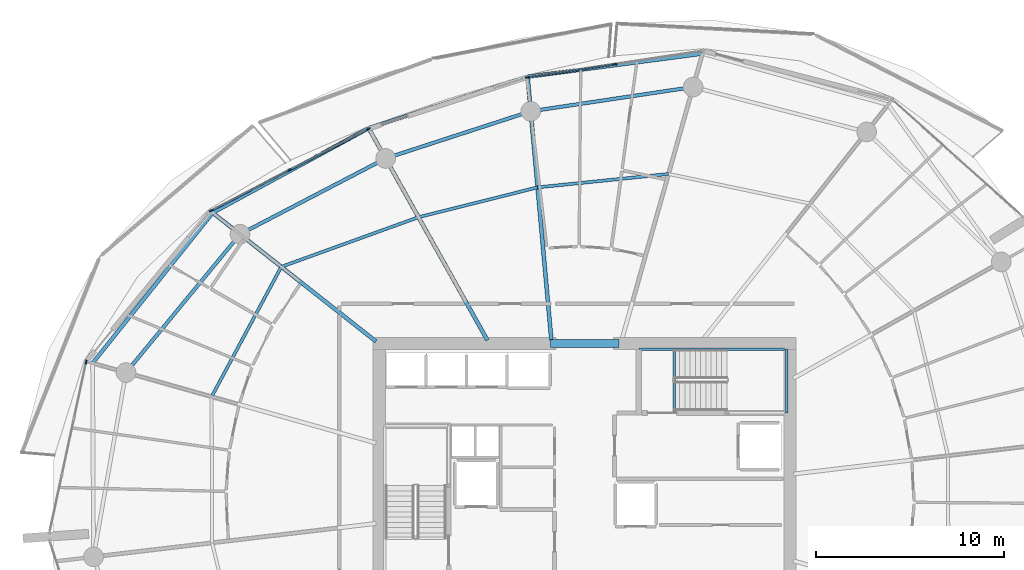
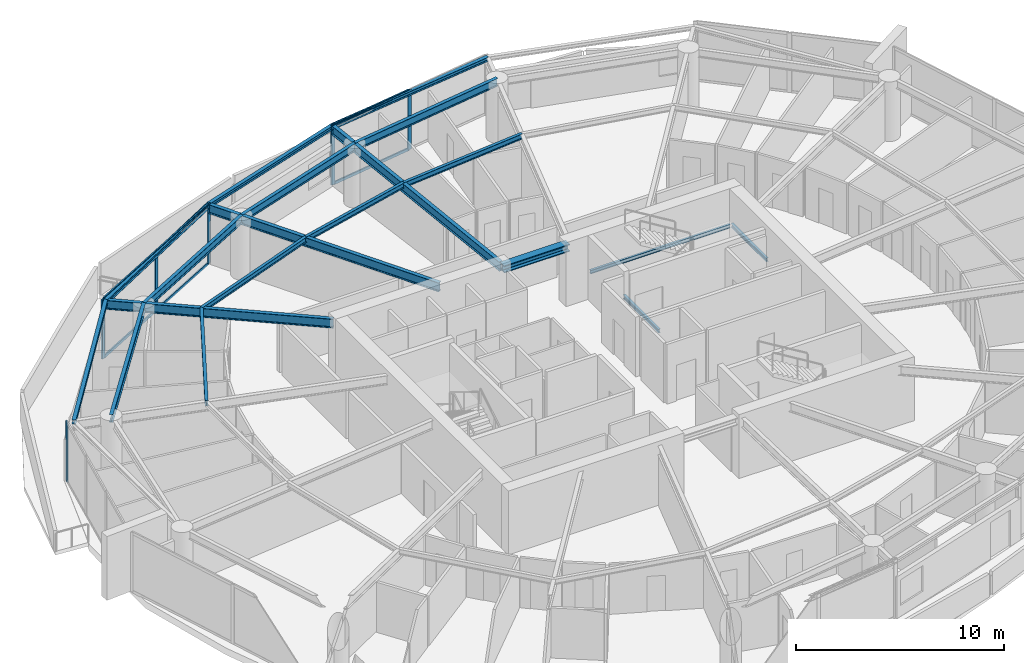
# One storey, part 8 of 21: 19 beams, 12 members, 3 elements without a shape of their own.
"""IFC4 building model written with IfcOpenShell, lengths in metres."""

from ifc_helpers import new_model, si_unit, direction, frame, origin, origin_2d, place, context, subcontext, project, spatial, rectangle, i_section, extrude, material, layer, layer_set, material_profile, profile_set, type_object, element, aggregate, save


model = new_model("IFC4")

# Units and contexts
model_context = context("Model", 3, precision=1e-05, world=origin(), true_north=direction((0.0, 1.0)))
body_context = subcontext(model_context, "Body", "Model", "MODEL_VIEW")
ifc_project = project(units=[si_unit("LENGTHUNIT", "METRE"), si_unit("AREAUNIT", "SQUARE_METRE"), si_unit("VOLUMEUNIT", "CUBIC_METRE"), si_unit("PLANEANGLEUNIT", "RADIAN"), si_unit("MASSUNIT", "GRAM", prefix="KILO")], contexts=[model_context])

# Site, building, storey
site_placement = place(None, origin())
site = spatial("IfcSite", under=ifc_project, at=site_placement, CompositionType="ELEMENT")
building_placement = place(site_placement, origin())
building = spatial("IfcBuilding", under=site, at=building_placement, Name="Kazma Halo Residences", CompositionType="ELEMENT")
storey_placement = place(building_placement, frame((0.0, 0.0, 176.550048828125)))
storey = spatial("IfcBuildingStorey", under=building, at=storey_placement, Name="L44", CompositionType="ELEMENT", Elevation=176.550048828125)

# Beams
ifc_material_1 = material(Name="Steel S355", Category="steel")
ifc_material_profile_1 = material_profile(ifc_material_1, i_section(OverallWidth=0.201904296875, OverallDepth=0.2470703125, WebThickness=0.00732421875, FlangeThickness=0.010986328125, FilletRadius=0.011962890625, at=origin_2d()), Name="W250x49.1")
ifc_profile_set_1 = profile_set([ifc_material_profile_1], Name="Steel S355")
beam_type_1 = type_object("IfcBeamType", Name="BM-BAL-CANT", PredefinedType="BEAM", material=ifc_profile_set_1)
beam_1_placement = place(storey_placement, frame((54.70458984375, 65.772216796875, 3.37646484375), z_axis=(-0.991401891123, -0.130852169558, 0.0), x_axis=(0.130852169558, -0.991401891123, 0.0)))
element("IfcBeam", 1, at=beam_1_placement, inside=storey, type_object=beam_type_1, Name="L44 wave-balcony tie beam 03", PredefinedType="BEAM", context=body_context, shape_type="SweptSolid", body=[
    extrude(i_section(OverallWidth=0.201904296875, OverallDepth=0.2470703125, WebThickness=0.00732421875, FlangeThickness=0.010986328125, FilletRadius=0.011962890625, at=origin_2d()), origin(), (0.0, 0.0, 1.0), 9.401611328125),
])
beam_2_placement = place(storey_placement, frame((45.3837890625, 64.5419921875, 3.37646484375), z_axis=(-0.951434599458, -0.307850942753, 0.0), x_axis=(0.307850942753, -0.951434599458, 0.0)))
element("IfcBeam", 2, at=beam_2_placement, inside=storey, type_object=beam_type_1, Name="L44 wave-balcony tie beam 04", PredefinedType="BEAM", context=body_context, shape_type="SweptSolid", body=[
    extrude(i_section(OverallWidth=0.201904296875, OverallDepth=0.2470703125, WebThickness=0.00732421875, FlangeThickness=0.010986328125, FilletRadius=0.011962890625, at=origin_2d()), origin(), (0.0, 0.0, 1.0), 8.905029296875),
])
beam_3_placement = place(storey_placement, frame((36.9111328125, 61.800537109375, 3.37646484375), z_axis=(-0.878890557257, -0.477023467309, 0.0), x_axis=(0.477023467309, -0.878890557257, 0.0)))
element("IfcBeam", 3, at=beam_3_placement, inside=storey, type_object=beam_type_1, Name="L44 wave-balcony tie beam 05", PredefinedType="BEAM", context=body_context, shape_type="SweptSolid", body=[
    extrude(i_section(OverallWidth=0.201904296875, OverallDepth=0.2470703125, WebThickness=0.00732421875, FlangeThickness=0.010986328125, FilletRadius=0.011962890625, at=origin_2d()), origin(), (0.0, 0.0, 1.0), 9.452880859375),
])
beam_4_placement = place(storey_placement, frame((28.60302734375, 57.291259765625, 3.37646484375), z_axis=(-0.624195724924, -0.781268005864, 0.0), x_axis=(0.781268005864, -0.624195724924, 0.0)))
element("IfcBeam", 4, at=beam_4_placement, inside=storey, type_object=beam_type_1, Name="L44 wave-balcony tie beam 06", PredefinedType="BEAM", context=body_context, shape_type="SweptSolid", body=[
    extrude(i_section(OverallWidth=0.201904296875, OverallDepth=0.2470703125, WebThickness=0.00732421875, FlangeThickness=0.010986328125, FilletRadius=0.011962890625, at=origin_2d()), origin(), (0.0, 0.0, 1.0), 10.258544921875),
])
ifc_material_profile_2 = material_profile(ifc_material_1, i_section(OverallWidth=0.408935546875, OverallDepth=0.425048828125, WebThickness=0.03271484375, FlangeThickness=0.052490234375, FilletRadius=0.02001953125, at=origin_2d()), Name="W360x421")
ifc_profile_set_2 = profile_set([ifc_material_profile_2], Name="Steel S355")
beam_type_2 = type_object("IfcBeamType", Name="BM-CORE-W360H", PredefinedType="BEAM", material=ifc_profile_set_2)
beam_5_placement = place(storey_placement, frame((46.60009765625, 50.324951171875, 3.287353515625), z_axis=(1.0, 0.0, 0.0), x_axis=(0.0, 1.0, 0.0)))
element("IfcBeam", 5, at=beam_5_placement, inside=storey, type_object=beam_type_2, Name="L44 core coupling beam N", PredefinedType="BEAM", context=body_context, shape_type="SweptSolid", body=[
    extrude(i_section(OverallWidth=0.408935546875, OverallDepth=0.425048828125, WebThickness=0.03271484375, FlangeThickness=0.052490234375, FilletRadius=0.02001953125, at=origin_2d()), origin(), (0.0, 0.0, 1.0), 3.64990234375),
])
ifc_material_profile_3 = material_profile(ifc_material_1, i_section(OverallWidth=0.208984375, OverallDepth=0.532958984375, WebThickness=0.01025390625, FlangeThickness=0.015625, FilletRadius=0.01611328125, at=origin_2d()), Name="W530x92")
ifc_profile_set_3 = profile_set([ifc_material_profile_3], Name="Steel S355")
beam_type_3 = type_object("IfcBeamType", Name="BM-RAD-W530", PredefinedType="BEAM", material=ifc_profile_set_3)
beam_6_placement = place(storey_placement, frame((46.64990234375, 50.5, 3.2333984375), z_axis=(-0.089801911205, 0.995959646142, 0.0), x_axis=(-0.995959646142, -0.089801911205, 0.0)))
element("IfcBeam", 6, at=beam_6_placement, inside=storey, type_object=beam_type_3, Name="L44 radial floor beam 04", PredefinedType="BEAM", context=body_context, shape_type="SweptSolid", body=[
    extrude(i_section(OverallWidth=0.208984375, OverallDepth=0.532958984375, WebThickness=0.01025390625, FlangeThickness=0.015625, FilletRadius=0.01611328125, at=origin_2d()), origin(), (0.0, 0.0, 1.0), 14.098876953125),
])
beam_7_placement = place(storey_placement, frame((43.23974609375, 50.5, 3.2333984375), z_axis=(-0.488621736368, 0.872495729931, 0.0), x_axis=(-0.872495729931, -0.488621736368, 0.0)))
element("IfcBeam", 7, at=beam_7_placement, inside=storey, type_object=beam_type_3, Name="L44 radial floor beam 05", PredefinedType="BEAM", context=body_context, shape_type="SweptSolid", body=[
    extrude(i_section(OverallWidth=0.208984375, OverallDepth=0.532958984375, WebThickness=0.01025390625, FlangeThickness=0.015625, FilletRadius=0.01611328125, at=origin_2d()), origin(), (0.0, 0.0, 1.0), 12.951904296875),
])
beam_8_placement = place(storey_placement, frame((37.300048828125, 50.435302734375, 3.2333984375), z_axis=(-0.785326671572, 0.619081593102, 0.0), x_axis=(-0.619081593102, -0.785326671572, 0.0)))
element("IfcBeam", 8, at=beam_8_placement, inside=storey, type_object=beam_type_3, Name="L44 radial floor beam 06", PredefinedType="BEAM", context=body_context, shape_type="SweptSolid", body=[
    extrude(i_section(OverallWidth=0.208984375, OverallDepth=0.532958984375, WebThickness=0.01025390625, FlangeThickness=0.015625, FilletRadius=0.01611328125, at=origin_2d()), origin(), (0.0, 0.0, 1.0), 11.074462890625),
])
ifc_material_profile_4 = material_profile(ifc_material_1, i_section(OverallWidth=0.1650390625, OverallDepth=0.31005859375, WebThickness=0.005859375, FlangeThickness=0.009765625, FilletRadius=0.011962890625, at=origin_2d()), Name="W310x38.7")
ifc_profile_set_4 = profile_set([ifc_material_profile_4], Name="Steel S355")
beam_type_4 = type_object("IfcBeamType", Name="BM-SEC-W310B", PredefinedType="JOIST", material=ifc_profile_set_4)
beam_9_placement = place(storey_placement, frame((52.8955078125, 59.35791015625, 3.344970703125), z_axis=(-0.994813898595, -0.101711883088, 0.0), x_axis=(0.101711883088, -0.994813898595, 0.0)))
element("IfcBeam", 9, at=beam_9_placement, inside=storey, type_object=beam_type_4, Name="L44 circumferential floor joist 03", PredefinedType="JOIST", context=body_context, shape_type="SweptSolid", body=[
    extrude(i_section(OverallWidth=0.1650390625, OverallDepth=0.31005859375, WebThickness=0.005859375, FlangeThickness=0.009765625, FilletRadius=0.011962890625, at=origin_2d()), origin(), (0.0, 0.0, 1.0), 7.01611328125),
])
beam_10_placement = place(storey_placement, frame((45.915771484375, 58.644287109375, 3.344970703125), z_axis=(-0.970019458253, -0.243027263102, 0.0), x_axis=(0.243027263102, -0.970019458253, 0.0)))
element("IfcBeam", 10, at=beam_10_placement, inside=storey, type_object=beam_type_4, Name="L44 circumferential floor joist 04", PredefinedType="JOIST", context=body_context, shape_type="SweptSolid", body=[
    extrude(i_section(OverallWidth=0.1650390625, OverallDepth=0.31005859375, WebThickness=0.005859375, FlangeThickness=0.009765625, FilletRadius=0.011962890625, at=origin_2d()), origin(), (0.0, 0.0, 1.0), 6.542724609375),
])
beam_11_placement = place(storey_placement, frame((39.569091796875, 57.05419921875, 3.344970703125), z_axis=(-0.940484507564, -0.339836565177, 0.0), x_axis=(0.339836565177, -0.940484507564, 0.0)))
element("IfcBeam", 11, at=beam_11_placement, inside=storey, type_object=beam_type_4, Name="L44 circumferential floor joist 05", PredefinedType="JOIST", context=body_context, shape_type="SweptSolid", body=[
    extrude(i_section(OverallWidth=0.1650390625, OverallDepth=0.31005859375, WebThickness=0.005859375, FlangeThickness=0.009765625, FilletRadius=0.011962890625, at=origin_2d()), origin(), (0.0, 0.0, 1.0), 7.776123046875),
])
beam_12_placement = place(storey_placement, frame((32.255859375, 54.41162109375, 3.344970703125), z_axis=(-0.472683532566, -0.881232249774, 0.0), x_axis=(0.881232249774, -0.472683532566, 0.0)))
element("IfcBeam", 12, at=beam_12_placement, inside=storey, type_object=beam_type_4, Name="L44 circumferential floor joist 06", PredefinedType="JOIST", context=body_context, shape_type="SweptSolid", body=[
    extrude(i_section(OverallWidth=0.1650390625, OverallDepth=0.31005859375, WebThickness=0.005859375, FlangeThickness=0.009765625, FilletRadius=0.011962890625, at=origin_2d()), origin(), (0.0, 0.0, 1.0), 7.85693359375),
])
ifc_material_profile_5 = material_profile(ifc_material_1, i_section(OverallWidth=0.18994140625, OverallDepth=0.45703125, WebThickness=0.009033203125, FlangeThickness=0.014404296875, FilletRadius=0.01611328125, at=origin_2d()), Name="W460x74")
ifc_profile_set_5 = profile_set([ifc_material_profile_5], Name="Steel S355")
beam_type_5 = type_object("IfcBeamType", Name="BM-SPN-W460", PredefinedType="BEAM", material=ifc_profile_set_5)
beam_13_placement = place(storey_placement, frame((54.202392578125, 63.99169921875, 3.271484375), z_axis=(-0.98903439143, -0.147685383732, 0.0), x_axis=(0.147685383732, -0.98903439143, 0.0)))
element("IfcBeam", 13, at=beam_13_placement, inside=storey, type_object=beam_type_5, Name="L44 perimeter ring beam 03", PredefinedType="BEAM", context=body_context, shape_type="SweptSolid", body=[
    extrude(i_section(OverallWidth=0.18994140625, OverallDepth=0.45703125, WebThickness=0.009033203125, FlangeThickness=0.014404296875, FilletRadius=0.01611328125, at=origin_2d()), origin(), (0.0, 0.0, 1.0), 8.748291015625),
])
beam_14_placement = place(storey_placement, frame((45.550048828125, 62.69970703125, 3.271484375), z_axis=(-0.951048627281, -0.30904127321, 0.0), x_axis=(0.30904127321, -0.951048627281, 0.0)))
element("IfcBeam", 14, at=beam_14_placement, inside=storey, type_object=beam_type_5, Name="L44 perimeter ring beam 04", PredefinedType="BEAM", context=body_context, shape_type="SweptSolid", body=[
    extrude(i_section(OverallWidth=0.18994140625, OverallDepth=0.45703125, WebThickness=0.009033203125, FlangeThickness=0.014404296875, FilletRadius=0.01611328125, at=origin_2d()), origin(), (0.0, 0.0, 1.0), 8.133056640625),
])
beam_15_placement = place(storey_placement, frame((37.815185546875, 60.186279296875, 3.271484375), z_axis=(-0.886961243394, -0.461843861838, 0.0), x_axis=(0.461843861838, -0.886961243394, 0.0)))
element("IfcBeam", 15, at=beam_15_placement, inside=storey, type_object=beam_type_5, Name="L44 perimeter ring beam 05", PredefinedType="BEAM", context=body_context, shape_type="SweptSolid", body=[
    extrude(i_section(OverallWidth=0.18994140625, OverallDepth=0.45703125, WebThickness=0.009033203125, FlangeThickness=0.014404296875, FilletRadius=0.01611328125, at=origin_2d()), origin(), (0.0, 0.0, 1.0), 8.748046875),
])
beam_16_placement = place(storey_placement, frame((30.055908203125, 56.14599609375, 3.271484375), z_axis=(-0.63601715545, -0.771674917289, 0.0), x_axis=(0.771674917289, -0.63601715545, 0.0)))
element("IfcBeam", 16, at=beam_16_placement, inside=storey, type_object=beam_type_5, Name="L44 perimeter ring beam 06", PredefinedType="BEAM", context=body_context, shape_type="SweptSolid", body=[
    extrude(i_section(OverallWidth=0.18994140625, OverallDepth=0.45703125, WebThickness=0.009033203125, FlangeThickness=0.014404296875, FilletRadius=0.01611328125, at=origin_2d()), origin(), (0.0, 0.0, 1.0), 9.552734375),
])
ifc_material_profile_6 = material_profile(ifc_material_1, i_section(OverallWidth=0.133056640625, OverallDepth=0.20703125, WebThickness=0.005859375, FlangeThickness=0.00830078125, FilletRadius=0.010009765625, at=origin_2d()), Name="W200x26.6")
ifc_profile_set_6 = profile_set([ifc_material_profile_6], Name="Steel S355")
beam_type_6 = type_object("IfcBeamType", Name="BM-TRIM-W200", PredefinedType="BEAM", material=ifc_profile_set_6)
beam_17_placement = place(storey_placement, frame((53.199951171875, 46.6201171875, -0.510009765625), z_axis=(0.0, 1.0, 0.0), x_axis=(-1.0, 0.0, 0.0)))
element("IfcBeam", 17, at=beam_17_placement, inside=storey, type_object=beam_type_6, Name="L44 ST-02 floor landing support beam", PredefinedType="BEAM", context=body_context, shape_type="SweptSolid", body=[
    extrude(i_section(OverallWidth=0.133056640625, OverallDepth=0.20703125, WebThickness=0.005859375, FlangeThickness=0.00830078125, FilletRadius=0.010009765625, at=origin_2d()), origin(), (0.0, 0.0, 1.0), 3.3798828125),
])
beam_18_placement = place(storey_placement, frame((51.31005859375, 50.02001953125, 1.570068359375), z_axis=(1.0, 0.0, 0.0), x_axis=(0.0, 1.0, 0.0)))
element("IfcBeam", 18, at=beam_18_placement, inside=storey, type_object=beam_type_6, Name="L44 ST-02 landing north wall ledger", PredefinedType="BEAM", context=body_context, shape_type="SweptSolid", body=[
    extrude(i_section(OverallWidth=0.133056640625, OverallDepth=0.20703125, WebThickness=0.005859375, FlangeThickness=0.00830078125, FilletRadius=0.010009765625, at=origin_2d()), origin(), (0.0, 0.0, 1.0), 7.760009765625),
])
beam_19_placement = place(storey_placement, frame((59.18994140625, 46.6201171875, 1.570068359375), z_axis=(0.0, 1.0, 0.0), x_axis=(-1.0, 0.0, 0.0)))
element("IfcBeam", 19, at=beam_19_placement, inside=storey, type_object=beam_type_6, Name="L44 ST-02 landing end wall ledger", PredefinedType="BEAM", context=body_context, shape_type="SweptSolid", body=[
    extrude(i_section(OverallWidth=0.133056640625, OverallDepth=0.20703125, WebThickness=0.005859375, FlangeThickness=0.00830078125, FilletRadius=0.010009765625, at=origin_2d()), origin(), (0.0, 0.0, 1.0), 3.39990234375),
])

# Curtain wall, members
ifc_material_2 = material(Name="Aluminium AW-6063 T6 and Triple-Silver Low-E Glass", Category="aluminium")
ifc_layer = layer(ifc_material_2, 0.219970703125)
ifc_layer_set = layer_set([ifc_layer], Name="Aluminium AW-6063 T6 and Triple-Silver Low-E Glass")
curtain_wall_type = type_object("IfcCurtainWallType", Name="CW-SYS-4", PredefinedType="NOTDEFINED", material=ifc_layer_set)
curtain_wall_1_placement = place(storey_placement, origin())
curtain_wall_1 = element("IfcCurtainWall", 20, at=curtain_wall_1_placement, inside=storey, type_object=curtain_wall_type, Name="L44 unitised curtain wall B03", PredefinedType="NOTDEFINED")
ifc_material_3 = material(Name="Aluminium AW-6063 T6", Category="aluminium")
ifc_material_profile_7 = material_profile(ifc_material_3, rectangle(XDim=0.074951171875, YDim=0.219970703125, at=origin_2d()), Name="CWM-75x220")
ifc_profile_set_7 = profile_set([ifc_material_profile_7], Name="Aluminium AW-6063 T6")
member_type_1 = type_object("IfcMemberType", Name="CW-SYS-4-MUL", PredefinedType="MULLION", material=ifc_profile_set_7)
member_1_placement = place(storey_placement, frame((50.041259765625, 65.211181640625, 0.0), z_axis=(0.0, 0.0, 1.0), x_axis=(0.148772639188, -0.988871428361, 0.0)))
member_1 = element("IfcMember", 21, at=member_1_placement, type_object=member_type_1, Name="CWS-4 mullion 2", PredefinedType="MULLION", context=body_context, shape_type="SweptSolid", body=[
    extrude(rectangle(XDim=0.074951171875, YDim=0.219970703125, at=origin_2d()), origin(), (0.0, 0.0, 1.0), 3.5),
])
member_2_placement = place(storey_placement, frame((45.373779296875, 64.509033203125, 0.0), z_axis=(0.0, 0.0, 1.0), x_axis=(0.148772639188, -0.988871428361, 0.0)))
member_2 = element("IfcMember", 22, at=member_2_placement, type_object=member_type_1, Name="CWS-4 mullion 3", PredefinedType="MULLION", context=body_context, shape_type="SweptSolid", body=[
    extrude(rectangle(XDim=0.074951171875, YDim=0.219970703125, at=origin_2d()), origin(), (0.0, 0.0, 1.0), 3.5),
])

curtain_wall_2_placement = place(storey_placement, origin())
curtain_wall_2 = element("IfcCurtainWall", 23, at=curtain_wall_2_placement, inside=storey, type_object=curtain_wall_type, Name="L44 unitised curtain wall B05", PredefinedType="NOTDEFINED")
member_3_placement = place(storey_placement, frame((36.894287109375, 61.75390625, 0.0), z_axis=(0.0, 0.0, 1.0), x_axis=(0.460873851097, -0.887465657575, 0.0)))
member_3 = element("IfcMember", 24, at=member_3_placement, type_object=member_type_1, Name="CWS-4 mullion 1", PredefinedType="MULLION", context=body_context, shape_type="SweptSolid", body=[
    extrude(rectangle(XDim=0.074951171875, YDim=0.219970703125, at=origin_2d()), origin(), (0.0, 0.0, 1.0), 3.5),
])
member_4_placement = place(storey_placement, frame((32.705322265625, 59.578369140625, 0.0), z_axis=(0.0, 0.0, 1.0), x_axis=(0.460873851097, -0.887465657575, 0.0)))
member_4 = element("IfcMember", 25, at=member_4_placement, type_object=member_type_1, Name="CWS-4 mullion 2", PredefinedType="MULLION", context=body_context, shape_type="SweptSolid", body=[
    extrude(rectangle(XDim=0.074951171875, YDim=0.219970703125, at=origin_2d()), origin(), (0.0, 0.0, 1.0), 3.5),
])
member_5_placement = place(storey_placement, frame((28.5166015625, 57.403076171875, 0.0), z_axis=(0.0, 0.0, 1.0), x_axis=(0.460873851097, -0.887465657575, 0.0)))
member_5 = element("IfcMember", 26, at=member_5_placement, type_object=member_type_1, Name="CWS-4 mullion 3", PredefinedType="MULLION", context=body_context, shape_type="SweptSolid", body=[
    extrude(rectangle(XDim=0.074951171875, YDim=0.219970703125, at=origin_2d()), origin(), (0.0, 0.0, 1.0), 3.5),
])

# Curtain wall, member
curtain_wall_3_placement = place(storey_placement, origin())
curtain_wall_3 = element("IfcCurtainWall", 27, at=curtain_wall_3_placement, inside=storey, type_object=curtain_wall_type, Name="L44 unitised curtain wall B07", PredefinedType="NOTDEFINED")
member_6_placement = place(storey_placement, frame((21.8564453125, 49.334228515625, 0.0), z_axis=(0.0, 0.0, 1.0), x_axis=(0.977768017212, -0.209689543175, 0.0)))
member_6 = element("IfcMember", 28, at=member_6_placement, type_object=member_type_1, Name="CWS-4 mullion 1", PredefinedType="MULLION", context=body_context, shape_type="SweptSolid", body=[
    extrude(rectangle(XDim=0.074951171875, YDim=0.219970703125, at=origin_2d()), origin(), (0.0, 0.0, 1.0), 3.5),
])
aggregate(curtain_wall_3, [member_6])

# Member
ifc_material_profile_8 = material_profile(ifc_material_3, rectangle(XDim=0.074951171875, YDim=0.1650390625, at=origin_2d()), Name="CWT-75x165")
ifc_profile_set_8 = profile_set([ifc_material_profile_8], Name="Aluminium AW-6063 T6")
member_type_2 = type_object("IfcMemberType", Name="CW-SYS-4-TRN", PredefinedType="USERDEFINED", material=ifc_profile_set_8)
member_7_placement = place(storey_placement, frame((50.004150390625, 65.20556640625, 0.037353515625), z_axis=(-0.988876518566, -0.148738801357, 0.0), x_axis=(0.148738801357, -0.988876518566, 0.0)))
member_7 = element("IfcMember", 29, at=member_7_placement, type_object=member_type_2, Name="CWS-4 transom 2.1", ObjectType="TRANSOM", PredefinedType="USERDEFINED", context=body_context, shape_type="SweptSolid", body=[
    extrude(rectangle(XDim=0.074951171875, YDim=0.1650390625, at=origin_2d()), origin(), (0.0, 0.0, 1.0), 4.645263671875),
])

member_8_placement = place(storey_placement, frame((50.004150390625, 65.20556640625, 3.46240234375), z_axis=(-0.988876518566, -0.148738801357, 0.0), x_axis=(0.148738801357, -0.988876518566, 0.0)))
member_8 = element("IfcMember", 30, at=member_8_placement, type_object=member_type_2, Name="CWS-4 transom 2.2", ObjectType="TRANSOM", PredefinedType="USERDEFINED", context=body_context, shape_type="SweptSolid", body=[
    extrude(rectangle(XDim=0.074951171875, YDim=0.1650390625, at=origin_2d()), origin(), (0.0, 0.0, 1.0), 4.645263671875),
])

aggregate(curtain_wall_1, [member_1, member_2, member_7, member_8])

member_9_placement = place(storey_placement, frame((36.861083984375, 61.736572265625, 0.037353515625), z_axis=(-0.887457630519, -0.460889307789, 0.0), x_axis=(0.460889307789, -0.887457630519, 0.0)))
member_9 = element("IfcMember", 31, at=member_9_placement, type_object=member_type_2, Name="CWS-4 transom 1.1", ObjectType="TRANSOM", PredefinedType="USERDEFINED", context=body_context, shape_type="SweptSolid", body=[
    extrude(rectangle(XDim=0.074951171875, YDim=0.1650390625, at=origin_2d()), origin(), (0.0, 0.0, 1.0), 4.64501953125),
])

member_10_placement = place(storey_placement, frame((36.861083984375, 61.736572265625, 3.46240234375), z_axis=(-0.887457630519, -0.460889307789, 0.0), x_axis=(0.460889307789, -0.887457630519, 0.0)))
member_10 = element("IfcMember", 32, at=member_10_placement, type_object=member_type_2, Name="CWS-4 transom 1.2", ObjectType="TRANSOM", PredefinedType="USERDEFINED", context=body_context, shape_type="SweptSolid", body=[
    extrude(rectangle(XDim=0.074951171875, YDim=0.1650390625, at=origin_2d()), origin(), (0.0, 0.0, 1.0), 4.64501953125),
])

member_11_placement = place(storey_placement, frame((32.672119140625, 59.561279296875, 0.037353515625), z_axis=(-0.887457630519, -0.460889307789, 0.0), x_axis=(0.460889307789, -0.887457630519, 0.0)))
member_11 = element("IfcMember", 33, at=member_11_placement, type_object=member_type_2, Name="CWS-4 transom 2.1", ObjectType="TRANSOM", PredefinedType="USERDEFINED", context=body_context, shape_type="SweptSolid", body=[
    extrude(rectangle(XDim=0.074951171875, YDim=0.1650390625, at=origin_2d()), origin(), (0.0, 0.0, 1.0), 4.64501953125),
])

member_12_placement = place(storey_placement, frame((32.672119140625, 59.561279296875, 3.46240234375), z_axis=(-0.887457630519, -0.460889307789, 0.0), x_axis=(0.460889307789, -0.887457630519, 0.0)))
member_12 = element("IfcMember", 34, at=member_12_placement, type_object=member_type_2, Name="CWS-4 transom 2.2", ObjectType="TRANSOM", PredefinedType="USERDEFINED", context=body_context, shape_type="SweptSolid", body=[
    extrude(rectangle(XDim=0.074951171875, YDim=0.1650390625, at=origin_2d()), origin(), (0.0, 0.0, 1.0), 4.64501953125),
])

aggregate(curtain_wall_2, [member_3, member_4, member_5, member_9, member_10, member_11, member_12])

save(model, "model.ifc")
